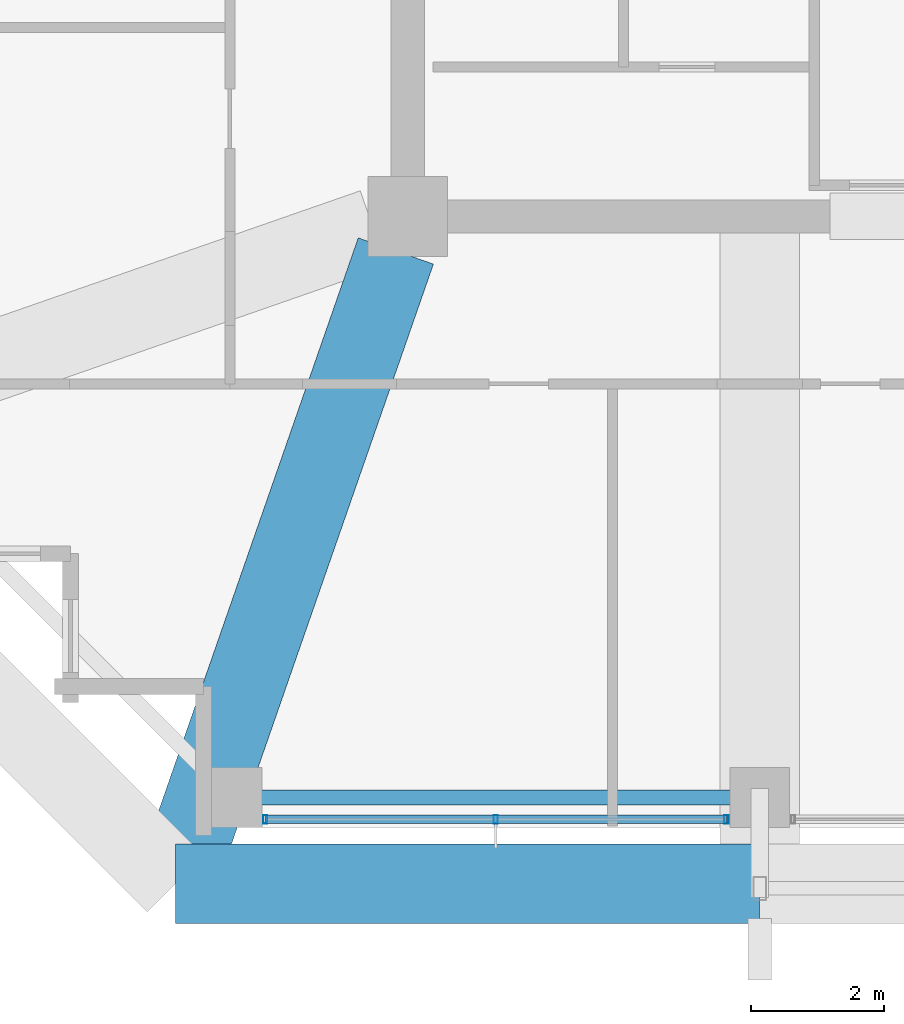
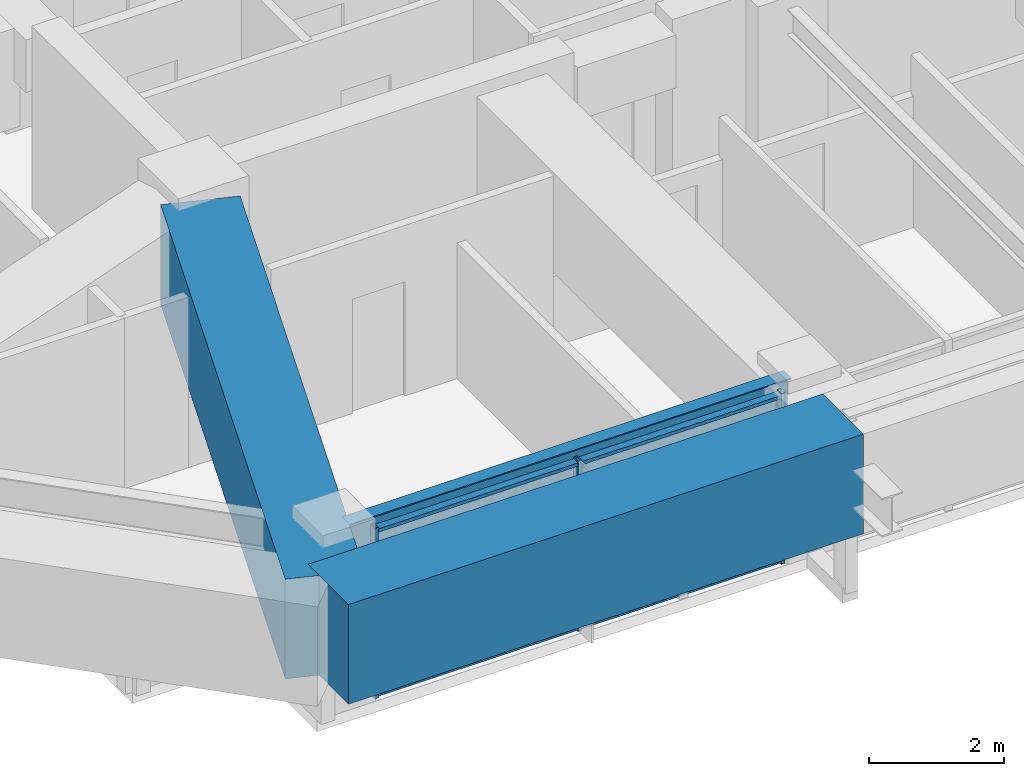
# One storey, part 2 of 40: 5 members, 3 beams, 1 element without a shape of its own.
"""IFC4 building model written with IfcOpenShell, lengths in metres."""

from ifc_helpers import new_model, si_unit, direction, frame, origin, origin_2d, place, context, subcontext, project, spatial, rectangle, hollow_rectangle, i_section, extrude, material, material_profile, profile_set, type_object, element, aggregate, save


model = new_model("IFC4")

# Units and contexts
model_context = context("Model", 3, precision=1e-05, world=origin(), true_north=direction((0.0, 1.0)))
body_context = subcontext(model_context, "Body", "Model", "MODEL_VIEW")
ifc_project = project(units=[si_unit("LENGTHUNIT", "METRE"), si_unit("AREAUNIT", "SQUARE_METRE"), si_unit("VOLUMEUNIT", "CUBIC_METRE"), si_unit("PLANEANGLEUNIT", "RADIAN"), si_unit("MASSUNIT", "GRAM", prefix="KILO")], contexts=[model_context])

# Site, building, storey
site_placement = place(None, origin())
site = spatial("IfcSite", under=ifc_project, at=site_placement, CompositionType="ELEMENT")
building_placement = place(site_placement, origin())
building = spatial("IfcBuilding", under=site, at=building_placement, Name="Kolvaren Belvedere", CompositionType="ELEMENT")
storey_placement = place(building_placement, frame((0.0, 0.0, 170.10009765625)))
storey = spatial("IfcBuildingStorey", under=building, at=storey_placement, Name="L49", CompositionType="ELEMENT", Elevation=170.10009765625)

# Beams
ifc_material_1 = material(Name="Structural steel ASTM A992 Grade 50", Category="steel")
ifc_material_profile_1 = material_profile(ifc_material_1, i_section(OverallWidth=0.22900390625, OverallDepth=0.612060546875, WebThickness=0.011962890625, FlangeThickness=0.01953125, FilletRadius=0.01806640625, at=origin_2d()), Name="W24X84")
ifc_profile_set_1 = profile_set([ifc_material_profile_1], Name="Structural steel ASTM A992 Grade 50")
beam_type_1 = type_object("IfcBeamType", Name="BM-SPAN-W24X84", PredefinedType="SPANDREL", material=ifc_profile_set_1)
beam_1_placement = place(storey_placement, frame((-12.347412109375, -18.64990234375, 2.77392578125), z_axis=(1.0, 0.0, 0.0), x_axis=(0.0, 1.0, 0.0)))
element("IfcBeam", 1, at=beam_1_placement, inside=storey, type_object=beam_type_1, Name="L49 Perimeter Spandrel S1-S2", PredefinedType="SPANDREL", context=body_context, shape_type="SweptSolid", body=[
    extrude(i_section(OverallWidth=0.22900390625, OverallDepth=0.612060546875, WebThickness=0.011962890625, FlangeThickness=0.01953125, FilletRadius=0.01806640625, at=origin_2d()), origin(), (0.0, 0.0, 1.0), 7.544921875),
])
ifc_material_2 = material(Name="Concrete C50/60", Category="concrete")
ifc_material_profile_2 = material_profile(ifc_material_2, rectangle(XDim=1.199951171875, YDim=1.800048828125, at=origin_2d()), Name="RC 1200X1800")
ifc_profile_set_2 = profile_set([ifc_material_profile_2], Name="Concrete C50/60")
beam_type_2 = type_object("IfcBeamType", Name="BM-TG-1800", PredefinedType="BEAM", material=ifc_profile_set_2)
beam_2_placement = place(storey_placement, frame((-13.39990234375, -19.949951171875, 2.179931640625), z_axis=(1.0, 0.0, 0.0), x_axis=(0.0, 1.0, 0.0)))
element("IfcBeam", 2, at=beam_2_placement, inside=storey, type_object=beam_type_2, Name="L49 Step Transfer Ring Girder S1-S2", PredefinedType="BEAM", context=body_context, shape_type="SweptSolid", body=[
    extrude(rectangle(XDim=1.199951171875, YDim=1.800048828125, at=origin_2d()), origin(), (0.0, 0.0, 1.0), 8.7998046875),
])
beam_3_placement = place(storey_placement, frame((-10.080810546875, -10.41943359375, 2.179931640625), z_axis=(-0.328902560054, -0.944363863132, 0.0), x_axis=(0.944363863132, -0.328902560054, 0.0)))
element("IfcBeam", 3, at=beam_3_placement, inside=storey, type_object=beam_type_2, Name="L49 Corner Core-to-Perimeter Girder CC1-S1", PredefinedType="BEAM", context=body_context, shape_type="SweptSolid", body=[
    extrude(rectangle(XDim=1.199951171875, YDim=1.800048828125, at=origin_2d()), origin(), (0.0, 0.0, 1.0), 9.842041015625),
])

# Curtain wall, members
ifc_material_3 = material(Name="Anodised pale-metal aluminium AA 6063-T6", Category="aluminium")
curtain_wall_type = type_object("IfcCurtainWallType", Name="CW-Z3-WAIST", PredefinedType="NOTDEFINED", material=ifc_material_3)
curtain_wall_placement = place(storey_placement, origin())
curtain_wall = element("IfcCurtainWall", 4, at=curtain_wall_placement, inside=storey, type_object=curtain_wall_type, Name="L49 Unitised Curtain Wall FCW-L49-S-B3", PredefinedType="NOTDEFINED")
ifc_material_4 = material(Name="Anodised pale-metal aluminium AA 6063-T6", Category="aluminium")
ifc_material_profile_3 = material_profile(ifc_material_4, hollow_rectangle(XDim=0.06494140625, YDim=0.1298828125, WallThickness=0.00390625, at=origin_2d()), Name="ALU-MUL-130X65")
ifc_profile_set_3 = profile_set([ifc_material_profile_3], Name="Anodised pale-metal aluminium AA 6063-T6")
member_type_1 = type_object("IfcMemberType", Name="CW-MUL-130", PredefinedType="MULLION", material=ifc_profile_set_3)
member_1_placement = place(storey_placement, frame((-5.1025390625, -18.97998046875, 0.0), z_axis=(0.0, 0.0, 1.0), x_axis=(1.0, 0.0, 0.0)))
member_1 = element("IfcMember", 5, at=member_1_placement, type_object=member_type_1, Name="FCW-L49-S-B3 Unitised Mullion 1", PredefinedType="MULLION", context=body_context, shape_type="SweptSolid", body=[
    extrude(hollow_rectangle(XDim=0.06494140625, YDim=0.1298828125, WallThickness=0.00390625, at=origin_2d()), origin(), (0.0, 0.0, 1.0), 3.079833984375),
])
member_2_placement = place(storey_placement, frame((-8.574951171875, -18.97998046875, 0.0), z_axis=(0.0, 0.0, 1.0), x_axis=(1.0, 0.0, 0.0)))
member_2 = element("IfcMember", 6, at=member_2_placement, type_object=member_type_1, Name="FCW-L49-S-B3 Unitised Mullion 2", PredefinedType="MULLION", context=body_context, shape_type="SweptSolid", body=[
    extrude(hollow_rectangle(XDim=0.06494140625, YDim=0.1298828125, WallThickness=0.00390625, at=origin_2d()), origin(), (0.0, 0.0, 1.0), 3.079833984375),
])
member_3_placement = place(storey_placement, frame((-12.047607421875, -18.97998046875, 0.0), z_axis=(0.0, 0.0, 1.0), x_axis=(1.0, 0.0, 0.0)))
member_3 = element("IfcMember", 7, at=member_3_placement, type_object=member_type_1, Name="FCW-L49-S-B3 Unitised Mullion 3", PredefinedType="MULLION", context=body_context, shape_type="SweptSolid", body=[
    extrude(hollow_rectangle(XDim=0.06494140625, YDim=0.1298828125, WallThickness=0.00390625, at=origin_2d()), origin(), (0.0, 0.0, 1.0), 3.079833984375),
])
ifc_material_5 = material(Name="Anodised pale-metal aluminium AA 6063-T6", Category="aluminium")
ifc_material_profile_4 = material_profile(ifc_material_5, hollow_rectangle(XDim=0.06005859375, YDim=0.1298828125, WallThickness=0.00390625, at=origin_2d()), Name="ALU-TRN-130X60")
ifc_profile_set_4 = profile_set([ifc_material_profile_4], Name="Anodised pale-metal aluminium AA 6063-T6")
member_type_2 = type_object("IfcMemberType", Name="CW-TRN-130", PredefinedType="USERDEFINED", material=ifc_profile_set_4)
member_4_placement = place(storey_placement, frame((-5.1025390625, -18.97998046875, 0.059814453125), z_axis=(-1.0, 0.0, 0.0), x_axis=(0.0, 0.0, 1.0)))
member_4 = element("IfcMember", 8, at=member_4_placement, type_object=member_type_2, Name="FCW-L49-S-B3 Sill Transom", ObjectType="TRANSOM", PredefinedType="USERDEFINED", context=body_context, shape_type="SweptSolid", body=[
    extrude(hollow_rectangle(XDim=0.06005859375, YDim=0.1298828125, WallThickness=0.00390625, at=origin_2d()), origin(), (0.0, 0.0, 1.0), 6.945068359375),
])
member_5_placement = place(storey_placement, frame((-5.1025390625, -18.97998046875, 3.02001953125), z_axis=(-1.0, 0.0, 0.0), x_axis=(0.0, 0.0, 1.0)))
member_5 = element("IfcMember", 9, at=member_5_placement, type_object=member_type_2, Name="FCW-L49-S-B3 Head Transom", ObjectType="TRANSOM", PredefinedType="USERDEFINED", context=body_context, shape_type="SweptSolid", body=[
    extrude(hollow_rectangle(XDim=0.06005859375, YDim=0.1298828125, WallThickness=0.00390625, at=origin_2d()), origin(), (0.0, 0.0, 1.0), 6.945068359375),
])
aggregate(curtain_wall, [member_1, member_2, member_3, member_4, member_5])

save(model, "model.ifc")
